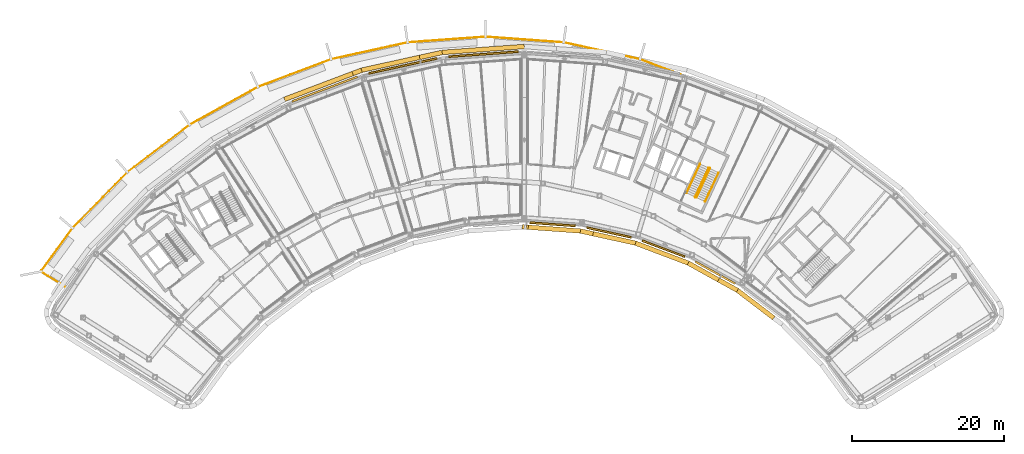
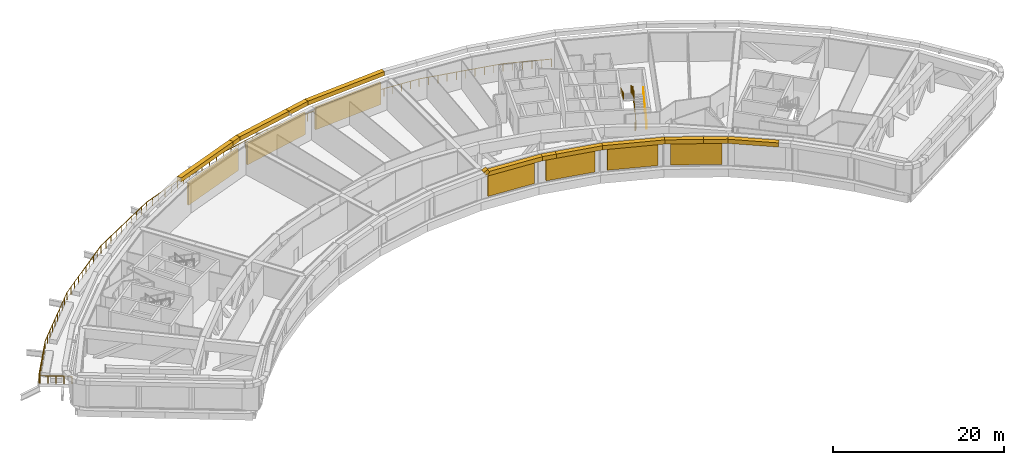
# One storey, part 21 of 24: 13 coverings, 7 shading devices, 4 railings.
"""IFC4 building model written with IfcOpenShell, lengths in metres."""

from ifc_helpers import new_model, si_unit, direction, frame, origin, origin_2d, place, context, subcontext, project, spatial, rectangle, circle, extrude, material, material_profile, profile_set, type_object, element, save


model = new_model("IFC4")

# Units and contexts
model_context = context("Model", 3, precision=1e-05, world=origin(), true_north=direction((0.0, 1.0)))
body_context = subcontext(model_context, "Body", "Model", "MODEL_VIEW")
ifc_project = project(units=[si_unit("LENGTHUNIT", "METRE"), si_unit("AREAUNIT", "SQUARE_METRE"), si_unit("VOLUMEUNIT", "CUBIC_METRE"), si_unit("PLANEANGLEUNIT", "RADIAN"), si_unit("MASSUNIT", "GRAM", prefix="KILO")], contexts=[model_context])

# Site, building, storey
site_placement = place(None, origin())
site = spatial("IfcSite", under=ifc_project, at=site_placement, CompositionType="ELEMENT")
building_placement = place(site_placement, origin())
building = spatial("IfcBuilding", under=site, at=building_placement, Name="Tuul Gate Civic Tower", CompositionType="ELEMENT")
storey_placement = place(building_placement, frame((0.0, 0.0, 243.89990234375)))
storey = spatial("IfcBuildingStorey", under=building, at=storey_placement, Name="Plant and refuge floor 6", CompositionType="ELEMENT", Elevation=243.89990234375)

# Shading devices
ifc_material_1 = material(Name="Aluminium louvre", Category="aluminium")
shading_device_type = type_object("IfcShadingDeviceType", Name="Louvre panel", PredefinedType="USERDEFINED", material=ifc_material_1)
for number, where, z_axis, x_axis, name in (
    (1, (5.66455078125, 13.66162109375, 0.300048828125), (0.0, 0.0, 1.0), (-0.072232658914, 0.997387809724, 0.0), "Louvre panel"),
    (2, (-4.955810546875, 12.114990234375, 0.300048828125), (0.0, 0.0, 1.0), (-0.21523471371, 0.976562347223, 0.0), "Louvre panel"),
    (3, (-15.2421875, 9.053955078125, 0.300048828125), (0.0, 0.0, 1.0), (-0.35373363489, 0.935346200905, 0.0), "Louvre panel"),
):
    element("IfcShadingDevice", number, at=place(storey_placement, frame(where, z_axis=z_axis, x_axis=x_axis)), inside=storey, type_object=shading_device_type, Name=name, ObjectType="LOUVRE", PredefinedType="USERDEFINED", context=body_context, shape_type="SweptSolid", body=[
        extrude(rectangle(XDim=0.25, YDim=9.199951171875, at=origin_2d()), origin(), (0.0, 0.0, 1.0), 3.14990234375),
    ])
for number, where, z_axis, x_axis, name in (
    (4, (14.775390625, -8.729736328125, 0.300048828125), (0.0, 0.0, 1.0), (-0.072276176045, -0.997384657179, 0.0), "Louvre panel"),
    (5, (22.18603515625, -9.80859375, 0.300048828125), (0.0, 0.0, 1.0), (-0.215115245883, -0.976588670316, 0.0), "Louvre panel"),
    (6, (29.36376953125, -11.9443359375, 0.300048828125), (0.0, 0.0, 1.0), (-0.353801005196, -0.935320719712, 0.0), "Louvre panel"),
    (7, (36.158935546875, -15.0927734375, 0.300048828125), (0.0, 0.0, 1.0), (-0.48480794476, -0.874620635875, 0.0), "Louvre panel"),
):
    element("IfcShadingDevice", number, at=place(storey_placement, frame(where, z_axis=z_axis, x_axis=x_axis)), inside=storey, type_object=shading_device_type, Name=name, ObjectType="LOUVRE", PredefinedType="USERDEFINED", context=body_context, shape_type="SweptSolid", body=[
        extrude(rectangle(XDim=0.25, YDim=6.0, at=origin_2d()), origin(), (0.0, 0.0, 1.0), 3.14990234375),
    ])

# Railings
ifc_material_2 = material(Name="Painted steel", Category="steel")
railing_type_1 = type_object("IfcRailingType", Name="Stair guard", PredefinedType="GUARDRAIL", material=ifc_material_2)
railing_1_placement = place(storey_placement, frame((33.645751953125, -5.238525390625, 0.0)))
element("IfcRailing", 8, at=railing_1_placement, inside=storey, type_object=railing_type_1, Name="Plant and refuge floor 6 ST-4 stair guard 1", PredefinedType="GUARDRAIL", context=body_context, shape_type="SweptSolid", body=[
    extrude(circle(Radius=0.02392578125, at=origin_2d()), frame((0.0, 0.0, 1.076171875), z_axis=(-0.906307919131, 0.422617978463, 0.0), x_axis=(-0.422617978463, -0.906307919131, 0.0)), (0.0, 0.0, 1.0), 0.099853515625),
    extrude(circle(Radius=0.02392578125, at=origin_2d()), frame((-0.090576171875, 0.042236328125, 1.076171875), z_axis=(0.720179819621, -0.082882280952, 0.688818956559), x_axis=(0.114330889033, 0.993442724979, 0.0)), (0.0, 0.0, 1.0), 0.218017578125),
    extrude(circle(Radius=0.02392578125, at=origin_2d()), frame((0.06640625, 0.024169921875, 1.22607421875), z_axis=(0.377979662676, 0.810654594284, 0.447180616049), x_axis=(-0.906322681284, 0.422586319455, 0.0)), (0.0, 0.0, 1.0), 4.69580078125),
    extrude(circle(Radius=0.02392578125, at=origin_2d()), frame((1.84130859375, 3.830810546875, 3.326171875), z_axis=(-0.342020437038, 0.939692513883, 0.0), x_axis=(-0.939692513883, -0.342020437038, 0.0)), (0.0, 0.0, 1.0), 0.070556640625),
    extrude(circle(Radius=0.02392578125, at=origin_2d()), frame((1.817138671875, 3.897216796875, 3.326171875), z_axis=(-0.906742786819, 0.421684145483, 0.0), x_axis=(-0.421684145483, -0.906742786819, 0.0)), (0.0, 0.0, 1.0), 0.10009765625),
    extrude(circle(Radius=0.02392578125, at=origin_2d()), frame((1.726318359375, 3.939453125, 3.326171875), z_axis=(-0.400168791901, -0.145649670582, 0.904793408159), x_axis=(0.342020437038, -0.939692513883, 0.0)), (0.0, 0.0, 1.0), 0.166015625),
    extrude(circle(Radius=0.02392578125, at=origin_2d()), frame((1.659912109375, 3.915283203125, 3.47607421875), z_axis=(-0.377935097645, -0.810670524484, 0.44718940361), x_axis=(0.906344943348, -0.422538570626, 0.0)), (0.0, 0.0, 1.0), 4.695556640625),
    extrude(circle(Radius=0.02099609375, at=origin_2d()), origin(), (0.0, 0.0, 1.0), 1.052001953125),
    extrude(circle(Radius=0.02099609375, at=origin_2d()), frame((-0.090576171875, 0.042236328125, 0.0)), (0.0, 0.0, 1.0), 1.052001953125),
    extrude(circle(Radius=0.02099609375, at=origin_2d()), frame((0.06640625, 0.024169921875, 0.150146484375)), (0.0, 0.0, 1.0), 1.052001953125),
    extrude(circle(Radius=0.02099609375, at=origin_2d()), frame((0.51025390625, 0.975830078125, 0.675048828125)), (0.0, 0.0, 1.0), 1.052001953125),
    extrude(circle(Radius=0.02099609375, at=origin_2d()), frame((0.953857421875, 1.927490234375, 1.2001953125)), (0.0, 0.0, 1.0), 1.052001953125),
    extrude(circle(Radius=0.02099609375, at=origin_2d()), frame((1.3974609375, 2.879150390625, 1.72509765625)), (0.0, 0.0, 1.0), 1.052001953125),
    extrude(circle(Radius=0.02099609375, at=origin_2d()), frame((1.84130859375, 3.830810546875, 2.25)), (0.0, 0.0, 1.0), 1.052001953125),
    extrude(circle(Radius=0.02099609375, at=origin_2d()), frame((1.817138671875, 3.897216796875, 2.25)), (0.0, 0.0, 1.0), 1.052001953125),
    extrude(circle(Radius=0.02099609375, at=origin_2d()), frame((1.726318359375, 3.939453125, 2.25)), (0.0, 0.0, 1.0), 1.052001953125),
    extrude(circle(Radius=0.02099609375, at=origin_2d()), frame((1.659912109375, 3.915283203125, 2.400146484375)), (0.0, 0.0, 1.0), 1.052001953125),
    extrude(circle(Radius=0.02099609375, at=origin_2d()), frame((1.21630859375, 2.963623046875, 2.925048828125)), (0.0, 0.0, 1.0), 1.052001953125),
    extrude(circle(Radius=0.02099609375, at=origin_2d()), frame((0.7724609375, 2.011962890625, 3.4501953125)), (0.0, 0.0, 1.0), 1.052001953125),
    extrude(circle(Radius=0.02099609375, at=origin_2d()), frame((0.328857421875, 1.060302734375, 3.97509765625)), (0.0, 0.0, 1.0), 1.052001953125),
    extrude(circle(Radius=0.02099609375, at=origin_2d()), frame((-0.11474609375, 0.108642578125, 4.5)), (0.0, 0.0, 1.0), 1.052001953125),
])
ifc_material_3 = material(Name="Painted steel", Category="steel")
railing_type_2 = type_object("IfcRailingType", Name="Stair handrail", PredefinedType="HANDRAIL", material=ifc_material_3)
railing_2_placement = place(storey_placement, frame((34.844970703125, -5.74267578125, 0.150146484375)))
element("IfcRailing", 9, at=railing_2_placement, inside=storey, type_object=railing_type_2, Name="Plant and refuge floor 6 ST-4 stair handrail 1", PredefinedType="HANDRAIL", context=body_context, shape_type="SweptSolid", body=[
    extrude(circle(Radius=0.02392578125, at=origin_2d()), frame((0.0, 0.0, 0.8759765625), z_axis=(0.377979662676, 0.810654594284, 0.447180616049), x_axis=(-0.906322681284, 0.422586319455, 0.0)), (0.0, 0.0, 1.0), 4.69580078125),
    extrude(circle(Radius=0.02099609375, at=origin_2d()), origin(), (0.0, 0.0, 1.0), 0.851806640625),
    extrude(circle(Radius=0.02099609375, at=origin_2d()), frame((0.44384765625, 0.95166015625, 0.52490234375)), (0.0, 0.0, 1.0), 0.851806640625),
    extrude(circle(Radius=0.02099609375, at=origin_2d()), frame((0.887451171875, 1.9033203125, 1.0498046875)), (0.0, 0.0, 1.0), 0.851806640625),
    extrude(circle(Radius=0.02099609375, at=origin_2d()), frame((1.3310546875, 2.85498046875, 1.574951171875)), (0.0, 0.0, 1.0), 0.851806640625),
    extrude(circle(Radius=0.02099609375, at=origin_2d()), frame((1.77490234375, 3.806640625, 2.099853515625)), (0.0, 0.0, 1.0), 0.851806640625),
])
railing_3_placement = place(storey_placement, frame((34.1728515625, -0.795166015625, 2.400146484375)))
element("IfcRailing", 10, at=railing_3_placement, inside=storey, type_object=railing_type_2, Name="Plant and refuge floor 6 ST-4 stair handrail 2", PredefinedType="HANDRAIL", context=body_context, shape_type="SweptSolid", body=[
    extrude(circle(Radius=0.02392578125, at=origin_2d()), frame((0.0, 0.0, 0.8759765625), z_axis=(-0.377995593999, -0.810636768368, 0.447199464097), x_axis=(0.906312300116, -0.422608583275, 0.0)), (0.0, 0.0, 1.0), 4.695556640625),
    extrude(circle(Radius=0.02099609375, at=origin_2d()), origin(), (0.0, 0.0, 1.0), 0.851806640625),
    extrude(circle(Radius=0.02099609375, at=origin_2d()), frame((-0.44384765625, -0.95166015625, 0.52490234375)), (0.0, 0.0, 1.0), 0.851806640625),
    extrude(circle(Radius=0.02099609375, at=origin_2d()), frame((-0.887451171875, -1.9033203125, 1.0498046875)), (0.0, 0.0, 1.0), 0.851806640625),
    extrude(circle(Radius=0.02099609375, at=origin_2d()), frame((-1.3310546875, -2.854736328125, 1.574951171875)), (0.0, 0.0, 1.0), 0.851806640625),
    extrude(circle(Radius=0.02099609375, at=origin_2d()), frame((-1.77490234375, -3.806396484375, 2.099853515625)), (0.0, 0.0, 1.0), 0.851806640625),
])
ifc_material_4 = material(Name="Stainless steel", Category="steel")
railing_type_3 = type_object("IfcRailingType", Name="Terrace guard", PredefinedType="GUARDRAIL", material=ifc_material_4)
railing_4_placement = place(storey_placement, frame((31.627197265625, 10.97265625, 0.0)))
element("IfcRailing", 11, at=railing_4_placement, inside=storey, type_object=railing_type_3, Name="Guard", PredefinedType="GUARDRAIL", context=body_context, shape_type="SweptSolid", body=[
    extrude(circle(Radius=0.02392578125, at=origin_2d()), frame((0.0, 0.0, 1.076171875), z_axis=(-0.935326312992, 0.353786218252, 0.0), x_axis=(-0.353786218252, -0.935326312992, 0.0)), (0.0, 0.0, 1.0), 5.72412109375),
    extrude(circle(Radius=0.02392578125, at=origin_2d()), frame((-5.35400390625, 2.025146484375, 1.076171875), z_axis=(-0.976580266261, 0.215153395392, 0.0), x_axis=(-0.215153395392, -0.976580266261, 0.0)), (0.0, 0.0, 1.0), 10.301025390625),
    extrude(circle(Radius=0.02392578125, at=origin_2d()), frame((-15.413818359375, 4.241455078125, 1.076171875), z_axis=(-0.997385266438, 0.072267767998, 0.0), x_axis=(-0.072267767998, -0.997385266438, 0.0)), (0.0, 0.0, 1.0), 10.30029296875),
    extrude(circle(Radius=0.02392578125, at=origin_2d()), frame((-25.687255859375, 4.98583984375, 1.076171875), z_axis=(-0.997385637761, -0.072262643099, 0.0), x_axis=(0.072262643099, -0.997385637761, 0.0)), (0.0, 0.0, 1.0), 10.301025390625),
    extrude(circle(Radius=0.02392578125, at=origin_2d()), frame((-35.96142578125, 4.241455078125, 1.076171875), z_axis=(-0.976575877169, -0.215173316496, 0.0), x_axis=(0.215173316496, -0.976575877169, 0.0)), (0.0, 0.0, 1.0), 10.300048828125),
    extrude(circle(Radius=0.02392578125, at=origin_2d()), frame((-46.020263671875, 2.025146484375, 1.076171875), z_axis=(-0.935328018854, -0.353781708327, 0.0), x_axis=(0.353781708327, -0.935328018854, 0.0)), (0.0, 0.0, 1.0), 10.301025390625),
    extrude(circle(Radius=0.02392578125, at=origin_2d()), frame((-55.655029296875, -1.619140625, 1.076171875), z_axis=(-0.874657646695, -0.48474116916, 0.0), x_axis=(0.48474116916, -0.874657646695, 0.0)), (0.0, 0.0, 1.0), 10.30126953125),
    extrude(circle(Radius=0.02392578125, at=origin_2d()), frame((-64.6650390625, -6.612548828125, 1.076171875), z_axis=(-0.795606895207, -0.60581322889, 0.0), x_axis=(0.60581322889, -0.795606895207, 0.0)), (0.0, 0.0, 1.0), 10.2998046875),
    extrude(circle(Radius=0.02392578125, at=origin_2d()), frame((-72.859619140625, -12.852294921875, 1.076171875), z_axis=(-0.699997004373, -0.714145779143, 0.0), x_axis=(0.714145779143, -0.699997004373, 0.0)), (0.0, 0.0, 1.0), 10.30126953125),
    extrude(circle(Radius=0.02392578125, at=origin_2d()), frame((-80.070556640625, -20.208984375, 1.076171875), z_axis=(-0.589864340275, -0.807502359174, 0.0), x_axis=(0.807502359174, -0.589864340275, 0.0)), (0.0, 0.0, 1.0), 6.915771484375),
    extrude(circle(Radius=0.02392578125, at=origin_2d()), frame((-84.14990234375, -25.79345703125, 1.076171875), z_axis=(-0.409149138835, -0.91246752391, 0.0), x_axis=(0.91246752391, -0.409149138835, 0.0)), (0.0, 0.0, 1.0), 0.0751953125),
    extrude(circle(Radius=0.02392578125, at=origin_2d()), frame((-84.1806640625, -25.862060546875, 1.076171875), z_axis=(-0.016324355083, -0.999866748838, 0.0), x_axis=(0.999866748838, -0.016324355083, 0.0)), (0.0, 0.0, 1.0), 0.059814453125),
    extrude(circle(Radius=0.02392578125, at=origin_2d()), frame((-84.181640625, -25.921875, 1.076171875), z_axis=(0.384035122131, -0.923318485123, 0.0), x_axis=(0.923318485123, 0.384035122131, 0.0)), (0.0, 0.0, 1.0), 0.059814453125),
    extrude(circle(Radius=0.02392578125, at=origin_2d()), frame((-84.15869140625, -25.97705078125, 1.076171875), z_axis=(0.722990691153, -0.690857771546, 0.0), x_axis=(0.690857771546, 0.722990691153, 0.0)), (0.0, 0.0, 1.0), 0.075927734375),
    extrude(circle(Radius=0.02392578125, at=origin_2d()), frame((-84.103759765625, -26.029541015625, 1.076171875), z_axis=(0.848023997791, -0.529957827728, 0.0), x_axis=(0.529957827728, 0.848023997791, 0.0)), (0.0, 0.0, 1.0), 3.736572265625),
    extrude(circle(Radius=0.02099609375, at=origin_2d()), origin(), (0.0, 0.0, 1.0), 1.052001953125),
    extrude(circle(Radius=0.02099609375, at=origin_2d()), frame((-1.07080078125, 0.405029296875, 0.0)), (0.0, 0.0, 1.0), 1.052001953125),
    extrude(circle(Radius=0.02099609375, at=origin_2d()), frame((-2.1416015625, 0.81005859375, 0.0)), (0.0, 0.0, 1.0), 1.052001953125),
    extrude(circle(Radius=0.02099609375, at=origin_2d()), frame((-3.21240234375, 1.215087890625, 0.0)), (0.0, 0.0, 1.0), 1.052001953125),
    extrude(circle(Radius=0.02099609375, at=origin_2d()), frame((-4.283203125, 1.6201171875, 0.0)), (0.0, 0.0, 1.0), 1.052001953125),
    extrude(circle(Radius=0.02099609375, at=origin_2d()), frame((-5.35400390625, 2.025146484375, 0.0)), (0.0, 0.0, 1.0), 1.052001953125),
    extrude(circle(Radius=0.02099609375, at=origin_2d()), frame((-6.4716796875, 2.271484375, 0.0)), (0.0, 0.0, 1.0), 1.052001953125),
    extrude(circle(Radius=0.02099609375, at=origin_2d()), frame((-7.589599609375, 2.517578125, 0.0)), (0.0, 0.0, 1.0), 1.052001953125),
    extrude(circle(Radius=0.02099609375, at=origin_2d()), frame((-8.707275390625, 2.763916015625, 0.0)), (0.0, 0.0, 1.0), 1.052001953125),
    extrude(circle(Radius=0.02099609375, at=origin_2d()), frame((-9.824951171875, 3.01025390625, 0.0)), (0.0, 0.0, 1.0), 1.052001953125),
    extrude(circle(Radius=0.02099609375, at=origin_2d()), frame((-10.94287109375, 3.25634765625, 0.0)), (0.0, 0.0, 1.0), 1.052001953125),
    extrude(circle(Radius=0.02099609375, at=origin_2d()), frame((-12.060546875, 3.502685546875, 0.0)), (0.0, 0.0, 1.0), 1.052001953125),
    extrude(circle(Radius=0.02099609375, at=origin_2d()), frame((-13.17822265625, 3.7490234375, 0.0)), (0.0, 0.0, 1.0), 1.052001953125),
    extrude(circle(Radius=0.02099609375, at=origin_2d()), frame((-14.296142578125, 3.9951171875, 0.0)), (0.0, 0.0, 1.0), 1.052001953125),
    extrude(circle(Radius=0.02099609375, at=origin_2d()), frame((-15.413818359375, 4.241455078125, 0.0)), (0.0, 0.0, 1.0), 1.052001953125),
    extrude(circle(Radius=0.02099609375, at=origin_2d()), frame((-16.555419921875, 4.32421875, 0.0)), (0.0, 0.0, 1.0), 1.052001953125),
    extrude(circle(Radius=0.02099609375, at=origin_2d()), frame((-17.69677734375, 4.406982421875, 0.0)), (0.0, 0.0, 1.0), 1.052001953125),
    extrude(circle(Radius=0.02099609375, at=origin_2d()), frame((-18.83837890625, 4.489501953125, 0.0)), (0.0, 0.0, 1.0), 1.052001953125),
    extrude(circle(Radius=0.02099609375, at=origin_2d()), frame((-19.979736328125, 4.572265625, 0.0)), (0.0, 0.0, 1.0), 1.052001953125),
    extrude(circle(Radius=0.02099609375, at=origin_2d()), frame((-21.121337890625, 4.655029296875, 0.0)), (0.0, 0.0, 1.0), 1.052001953125),
    extrude(circle(Radius=0.02099609375, at=origin_2d()), frame((-22.2626953125, 4.73779296875, 0.0)), (0.0, 0.0, 1.0), 1.052001953125),
    extrude(circle(Radius=0.02099609375, at=origin_2d()), frame((-23.404296875, 4.8203125, 0.0)), (0.0, 0.0, 1.0), 1.052001953125),
    extrude(circle(Radius=0.02099609375, at=origin_2d()), frame((-24.545654296875, 4.903076171875, 0.0)), (0.0, 0.0, 1.0), 1.052001953125),
    extrude(circle(Radius=0.02099609375, at=origin_2d()), frame((-25.687255859375, 4.98583984375, 0.0)), (0.0, 0.0, 1.0), 1.052001953125),
    extrude(circle(Radius=0.02099609375, at=origin_2d()), frame((-26.828857421875, 4.903076171875, 0.0)), (0.0, 0.0, 1.0), 1.052001953125),
    extrude(circle(Radius=0.02099609375, at=origin_2d()), frame((-27.970458984375, 4.8203125, 0.0)), (0.0, 0.0, 1.0), 1.052001953125),
    extrude(circle(Radius=0.02099609375, at=origin_2d()), frame((-29.112060546875, 4.73779296875, 0.0)), (0.0, 0.0, 1.0), 1.052001953125),
    extrude(circle(Radius=0.02099609375, at=origin_2d()), frame((-30.253662109375, 4.655029296875, 0.0)), (0.0, 0.0, 1.0), 1.052001953125),
    extrude(circle(Radius=0.02099609375, at=origin_2d()), frame((-31.39501953125, 4.572265625, 0.0)), (0.0, 0.0, 1.0), 1.052001953125),
    extrude(circle(Radius=0.02099609375, at=origin_2d()), frame((-32.53662109375, 4.489501953125, 0.0)), (0.0, 0.0, 1.0), 1.052001953125),
    extrude(circle(Radius=0.02099609375, at=origin_2d()), frame((-33.67822265625, 4.406982421875, 0.0)), (0.0, 0.0, 1.0), 1.052001953125),
    extrude(circle(Radius=0.02099609375, at=origin_2d()), frame((-34.81982421875, 4.32421875, 0.0)), (0.0, 0.0, 1.0), 1.052001953125),
    extrude(circle(Radius=0.02099609375, at=origin_2d()), frame((-35.96142578125, 4.241455078125, 0.0)), (0.0, 0.0, 1.0), 1.052001953125),
    extrude(circle(Radius=0.02099609375, at=origin_2d()), frame((-37.0791015625, 3.9951171875, 0.0)), (0.0, 0.0, 1.0), 1.052001953125),
    extrude(circle(Radius=0.02099609375, at=origin_2d()), frame((-38.19677734375, 3.7490234375, 0.0)), (0.0, 0.0, 1.0), 1.052001953125),
    extrude(circle(Radius=0.02099609375, at=origin_2d()), frame((-39.314453125, 3.502685546875, 0.0)), (0.0, 0.0, 1.0), 1.052001953125),
    extrude(circle(Radius=0.02099609375, at=origin_2d()), frame((-40.43212890625, 3.25634765625, 0.0)), (0.0, 0.0, 1.0), 1.052001953125),
    extrude(circle(Radius=0.02099609375, at=origin_2d()), frame((-41.549560546875, 3.01025390625, 0.0)), (0.0, 0.0, 1.0), 1.052001953125),
    extrude(circle(Radius=0.02099609375, at=origin_2d()), frame((-42.667236328125, 2.763916015625, 0.0)), (0.0, 0.0, 1.0), 1.052001953125),
    extrude(circle(Radius=0.02099609375, at=origin_2d()), frame((-43.784912109375, 2.517578125, 0.0)), (0.0, 0.0, 1.0), 1.052001953125),
    extrude(circle(Radius=0.02099609375, at=origin_2d()), frame((-44.902587890625, 2.271484375, 0.0)), (0.0, 0.0, 1.0), 1.052001953125),
    extrude(circle(Radius=0.02099609375, at=origin_2d()), frame((-46.020263671875, 2.025146484375, 0.0)), (0.0, 0.0, 1.0), 1.052001953125),
    extrude(circle(Radius=0.02099609375, at=origin_2d()), frame((-47.0908203125, 1.6201171875, 0.0)), (0.0, 0.0, 1.0), 1.052001953125),
    extrude(circle(Radius=0.02099609375, at=origin_2d()), frame((-48.161376953125, 1.21533203125, 0.0)), (0.0, 0.0, 1.0), 1.052001953125),
    extrude(circle(Radius=0.02099609375, at=origin_2d()), frame((-49.23193359375, 0.810302734375, 0.0)), (0.0, 0.0, 1.0), 1.052001953125),
    extrude(circle(Radius=0.02099609375, at=origin_2d()), frame((-50.302490234375, 0.405517578125, 0.0)), (0.0, 0.0, 1.0), 1.052001953125),
    extrude(circle(Radius=0.02099609375, at=origin_2d()), frame((-51.372802734375, 0.00048828125, 0.0)), (0.0, 0.0, 1.0), 1.052001953125),
    extrude(circle(Radius=0.02099609375, at=origin_2d()), frame((-52.443359375, -0.404296875, 0.0)), (0.0, 0.0, 1.0), 1.052001953125),
    extrude(circle(Radius=0.02099609375, at=origin_2d()), frame((-53.513916015625, -0.809326171875, 0.0)), (0.0, 0.0, 1.0), 1.052001953125),
    extrude(circle(Radius=0.02099609375, at=origin_2d()), frame((-54.58447265625, -1.214111328125, 0.0)), (0.0, 0.0, 1.0), 1.052001953125),
    extrude(circle(Radius=0.02099609375, at=origin_2d()), frame((-55.655029296875, -1.619140625, 0.0)), (0.0, 0.0, 1.0), 1.052001953125),
    extrude(circle(Radius=0.02099609375, at=origin_2d()), frame((-56.65625, -2.174072265625, 0.0)), (0.0, 0.0, 1.0), 1.052001953125),
    extrude(circle(Radius=0.02099609375, at=origin_2d()), frame((-57.6572265625, -2.728759765625, 0.0)), (0.0, 0.0, 1.0), 1.052001953125),
    extrude(circle(Radius=0.02099609375, at=origin_2d()), frame((-58.658447265625, -3.28369140625, 0.0)), (0.0, 0.0, 1.0), 1.052001953125),
    extrude(circle(Radius=0.02099609375, at=origin_2d()), frame((-59.659423828125, -3.83837890625, 0.0)), (0.0, 0.0, 1.0), 1.052001953125),
    extrude(circle(Radius=0.02099609375, at=origin_2d()), frame((-60.66064453125, -4.393310546875, 0.0)), (0.0, 0.0, 1.0), 1.052001953125),
    extrude(circle(Radius=0.02099609375, at=origin_2d()), frame((-61.66162109375, -4.947998046875, 0.0)), (0.0, 0.0, 1.0), 1.052001953125),
    extrude(circle(Radius=0.02099609375, at=origin_2d()), frame((-62.662841796875, -5.5029296875, 0.0)), (0.0, 0.0, 1.0), 1.052001953125),
    extrude(circle(Radius=0.02099609375, at=origin_2d()), frame((-63.663818359375, -6.0576171875, 0.0)), (0.0, 0.0, 1.0), 1.052001953125),
    extrude(circle(Radius=0.02099609375, at=origin_2d()), frame((-64.6650390625, -6.612548828125, 0.0)), (0.0, 0.0, 1.0), 1.052001953125),
    extrude(circle(Radius=0.02099609375, at=origin_2d()), frame((-65.575439453125, -7.305908203125, 0.0)), (0.0, 0.0, 1.0), 1.052001953125),
    extrude(circle(Radius=0.02099609375, at=origin_2d()), frame((-66.486083984375, -7.999267578125, 0.0)), (0.0, 0.0, 1.0), 1.052001953125),
    extrude(circle(Radius=0.02099609375, at=origin_2d()), frame((-67.396484375, -8.6923828125, 0.0)), (0.0, 0.0, 1.0), 1.052001953125),
    extrude(circle(Radius=0.02099609375, at=origin_2d()), frame((-68.30712890625, -9.3857421875, 0.0)), (0.0, 0.0, 1.0), 1.052001953125),
    extrude(circle(Radius=0.02099609375, at=origin_2d()), frame((-69.217529296875, -10.0791015625, 0.0)), (0.0, 0.0, 1.0), 1.052001953125),
    extrude(circle(Radius=0.02099609375, at=origin_2d()), frame((-70.128173828125, -10.7724609375, 0.0)), (0.0, 0.0, 1.0), 1.052001953125),
    extrude(circle(Radius=0.02099609375, at=origin_2d()), frame((-71.03857421875, -11.465576171875, 0.0)), (0.0, 0.0, 1.0), 1.052001953125),
    extrude(circle(Radius=0.02099609375, at=origin_2d()), frame((-71.94921875, -12.158935546875, 0.0)), (0.0, 0.0, 1.0), 1.052001953125),
    extrude(circle(Radius=0.02099609375, at=origin_2d()), frame((-72.859619140625, -12.852294921875, 0.0)), (0.0, 0.0, 1.0), 1.052001953125),
    extrude(circle(Radius=0.02099609375, at=origin_2d()), frame((-73.660888671875, -13.669677734375, 0.0)), (0.0, 0.0, 1.0), 1.052001953125),
    extrude(circle(Radius=0.02099609375, at=origin_2d()), frame((-74.462158203125, -14.487060546875, 0.0)), (0.0, 0.0, 1.0), 1.052001953125),
    extrude(circle(Radius=0.02099609375, at=origin_2d()), frame((-75.26318359375, -15.304443359375, 0.0)), (0.0, 0.0, 1.0), 1.052001953125),
    extrude(circle(Radius=0.02099609375, at=origin_2d()), frame((-76.064453125, -16.121826171875, 0.0)), (0.0, 0.0, 1.0), 1.052001953125),
    extrude(circle(Radius=0.02099609375, at=origin_2d()), frame((-76.86572265625, -16.939453125, 0.0)), (0.0, 0.0, 1.0), 1.052001953125),
    extrude(circle(Radius=0.02099609375, at=origin_2d()), frame((-77.6669921875, -17.7568359375, 0.0)), (0.0, 0.0, 1.0), 1.052001953125),
    extrude(circle(Radius=0.02099609375, at=origin_2d()), frame((-78.468017578125, -18.57421875, 0.0)), (0.0, 0.0, 1.0), 1.052001953125),
    extrude(circle(Radius=0.02099609375, at=origin_2d()), frame((-79.269287109375, -19.3916015625, 0.0)), (0.0, 0.0, 1.0), 1.052001953125),
    extrude(circle(Radius=0.02099609375, at=origin_2d()), frame((-80.070556640625, -20.208984375, 0.0)), (0.0, 0.0, 1.0), 1.052001953125),
    extrude(circle(Radius=0.02099609375, at=origin_2d()), frame((-80.75048828125, -21.1396484375, 0.0)), (0.0, 0.0, 1.0), 1.052001953125),
    extrude(circle(Radius=0.02099609375, at=origin_2d()), frame((-81.430419921875, -22.070556640625, 0.0)), (0.0, 0.0, 1.0), 1.052001953125),
    extrude(circle(Radius=0.02099609375, at=origin_2d()), frame((-82.1103515625, -23.001220703125, 0.0)), (0.0, 0.0, 1.0), 1.052001953125),
    extrude(circle(Radius=0.02099609375, at=origin_2d()), frame((-82.7900390625, -23.931884765625, 0.0)), (0.0, 0.0, 1.0), 1.052001953125),
    extrude(circle(Radius=0.02099609375, at=origin_2d()), frame((-83.469970703125, -24.86279296875, 0.0)), (0.0, 0.0, 1.0), 1.052001953125),
    extrude(circle(Radius=0.02099609375, at=origin_2d()), frame((-84.14990234375, -25.79345703125, 0.0)), (0.0, 0.0, 1.0), 1.052001953125),
    extrude(circle(Radius=0.02099609375, at=origin_2d()), frame((-84.1806640625, -25.862060546875, 0.0)), (0.0, 0.0, 1.0), 1.052001953125),
    extrude(circle(Radius=0.02099609375, at=origin_2d()), frame((-84.181640625, -25.921875, 0.0)), (0.0, 0.0, 1.0), 1.052001953125),
    extrude(circle(Radius=0.02099609375, at=origin_2d()), frame((-84.15869140625, -25.97705078125, 0.0)), (0.0, 0.0, 1.0), 1.052001953125),
    extrude(circle(Radius=0.02099609375, at=origin_2d()), frame((-84.103759765625, -26.029541015625, 0.0)), (0.0, 0.0, 1.0), 1.052001953125),
    extrude(circle(Radius=0.02099609375, at=origin_2d()), frame((-83.3115234375, -26.524658203125, 0.0)), (0.0, 0.0, 1.0), 1.052001953125),
    extrude(circle(Radius=0.02099609375, at=origin_2d()), frame((-82.51953125, -27.01953125, 0.0)), (0.0, 0.0, 1.0), 1.052001953125),
    extrude(circle(Radius=0.02099609375, at=origin_2d()), frame((-81.727294921875, -27.5146484375, 0.0)), (0.0, 0.0, 1.0), 1.052001953125),
    extrude(circle(Radius=0.02099609375, at=origin_2d()), frame((-80.93505859375, -28.009765625, 0.0)), (0.0, 0.0, 1.0), 1.052001953125),
])

# Coverings
ifc_material_5 = material(Name="Terracotta baguette", Category="masonry")
ifc_material_profile = material_profile(ifc_material_5, rectangle(XDim=0.60009765625, YDim=0.60009765625, at=origin_2d()), Name="Terracotta baguette screen frame")
ifc_profile_set = profile_set([ifc_material_profile], Name="Terracotta baguette")
covering_type = type_object("IfcCoveringType", Name="Terracotta baguette screen frame", PredefinedType="CLADDING", material=ifc_profile_set)
covering_1_placement = place(storey_placement, frame((-2.748046875, 13.24169921875, 4.150146484375), z_axis=(-0.976558608026, -0.215251678484, 0.0), x_axis=(0.215251678484, -0.976558608026, 0.0)))
element("IfcCovering", 12, at=covering_1_placement, inside=storey, type_object=covering_type, Name="Baguette 87", PredefinedType="CLADDING", context=body_context, shape_type="SweptSolid", body=[
    extrude(rectangle(XDim=0.60009765625, YDim=0.60009765625, at=origin_2d()), origin(), (0.0, 0.0, 1.0), 7.82373046875),
])
covering_2_placement = place(storey_placement, frame((-10.388427734375, 11.5576171875, 4.150146484375), z_axis=(-0.935361445444, -0.353693322493, 0.0), x_axis=(0.353693322493, -0.935361445444, 0.0)))
element("IfcCovering", 13, at=covering_2_placement, inside=storey, type_object=covering_type, Name="Baguette 88", PredefinedType="CLADDING", context=body_context, shape_type="SweptSolid", body=[
    extrude(rectangle(XDim=0.60009765625, YDim=0.60009765625, at=origin_2d()), origin(), (0.0, 0.0, 1.0), 1.248779296875),
])
covering_3_placement = place(storey_placement, frame((11.031005859375, -9.0849609375, 4.6494140625), z_axis=(0.465035436769, -0.03374210611, -0.884648807621), x_axis=(0.072367892575, 0.997378006638, 0.0)))
element("IfcCovering", 14, at=covering_3_placement, inside=storey, type_object=covering_type, Name="Baguette 213", PredefinedType="CLADDING", context=body_context, shape_type="SweptSolid", body=[
    extrude(rectangle(XDim=0.60009765625, YDim=0.60009765625, at=origin_2d()), origin(), (0.0, 0.0, 1.0), 0.564453125),
])
covering_4_placement = place(storey_placement, frame((11.29345703125, -9.10400390625, 4.150146484375), z_axis=(0.997385081157, -0.072270325073, 0.0), x_axis=(0.072270325073, 0.997385081157, 0.0)))
element("IfcCovering", 15, at=covering_4_placement, inside=storey, type_object=covering_type, Name="Baguette 220", PredefinedType="CLADDING", context=body_context, shape_type="SweptSolid", body=[
    extrude(rectangle(XDim=0.60009765625, YDim=0.60009765625, at=origin_2d()), origin(), (0.0, 0.0, 1.0), 7.155029296875),
])
covering_5_placement = place(storey_placement, frame((18.4296875, -9.62109375, 4.150146484375), z_axis=(0.976594928583, -0.215086832385, 0.0), x_axis=(0.215086832385, 0.976594928583, 0.0)))
element("IfcCovering", 16, at=covering_5_placement, inside=storey, type_object=covering_type, Name="Baguette 221", PredefinedType="CLADDING", context=body_context, shape_type="SweptSolid", body=[
    extrude(rectangle(XDim=0.60009765625, YDim=0.60009765625, at=origin_2d()), origin(), (0.0, 0.0, 1.0), 1.697021484375),
])
covering_6_placement = place(storey_placement, frame((36.604736328125, -16.054443359375, 4.150146484375), z_axis=(0.874621104425, -0.484807099468, 0.0), x_axis=(0.484807099468, 0.874621104425, 0.0)))
element("IfcCovering", 17, at=covering_6_placement, inside=storey, type_object=covering_type, Name="Baguette 240", PredefinedType="CLADDING", context=body_context, shape_type="SweptSolid", body=[
    extrude(rectangle(XDim=0.60009765625, YDim=0.60009765625, at=origin_2d()), origin(), (0.0, 0.0, 1.0), 2.852783203125),
])
covering_7_placement = place(storey_placement, frame((39.099853515625, -17.4375, 4.150146484375), z_axis=(0.795627855094, -0.605785701546, 0.0), x_axis=(0.605785701546, 0.795627855094, 0.0)))
element("IfcCovering", 18, at=covering_7_placement, inside=storey, type_object=covering_type, Name="Baguette 241", PredefinedType="CLADDING", context=body_context, shape_type="SweptSolid", body=[
    extrude(rectangle(XDim=0.60009765625, YDim=0.60009765625, at=origin_2d()), origin(), (0.0, 0.0, 1.0), 5.999267578125),
])
covering_8_placement = place(storey_placement, frame((11.031005859375, 14.677001953125, 4.150146484375), z_axis=(-0.99738728677, -0.072239879499, 0.0), x_axis=(0.072239879499, -0.99738728677, 0.0)))
element("IfcCovering", 19, at=covering_8_placement, inside=storey, type_object=covering_type, Name="Baguette 391", PredefinedType="CLADDING", context=body_context, shape_type="SweptSolid", body=[
    extrude(rectangle(XDim=0.60009765625, YDim=0.60009765625, at=origin_2d()), origin(), (0.0, 0.0, 1.0), 10.851806640625),
])
covering_9_placement = place(storey_placement, frame((0.20751953125, 13.89306640625, 4.150146484375), z_axis=(-0.976565178997, -0.21522186499, 0.0), x_axis=(0.21522186499, -0.976565178997, 0.0)))
element("IfcCovering", 20, at=covering_9_placement, inside=storey, type_object=covering_type, Name="Baguette 392", PredefinedType="CLADDING", context=body_context, shape_type="SweptSolid", body=[
    extrude(rectangle(XDim=0.60009765625, YDim=0.60009765625, at=origin_2d()), origin(), (0.0, 0.0, 1.0), 3.026611328125),
])
covering_10_placement = place(storey_placement, frame((-11.556396484375, 11.115966796875, 4.150146484375), z_axis=(-0.935346515686, -0.353732802542, 0.0), x_axis=(0.353732802542, -0.935346515686, 0.0)))
element("IfcCovering", 21, at=covering_10_placement, inside=storey, type_object=covering_type, Name="Baguette 393", PredefinedType="CLADDING", context=body_context, shape_type="SweptSolid", body=[
    extrude(rectangle(XDim=0.60009765625, YDim=0.60009765625, at=origin_2d()), origin(), (0.0, 0.0, 1.0), 9.6025390625),
])
covering_11_placement = place(storey_placement, frame((20.0869140625, -9.986083984375, 4.150146484375), z_axis=(0.976584067749, -0.215136139733, 0.0), x_axis=(0.215136139733, 0.976584067749, 0.0)))
element("IfcCovering", 22, at=covering_11_placement, inside=storey, type_object=covering_type, Name="Baguette 406", PredefinedType="CLADDING", context=body_context, shape_type="SweptSolid", body=[
    extrude(rectangle(XDim=0.60009765625, YDim=0.60009765625, at=origin_2d()), origin(), (0.0, 0.0, 1.0), 5.720703125),
])
covering_12_placement = place(storey_placement, frame((25.673583984375, -11.216796875, 4.150146484375), z_axis=(0.935320405664, -0.353801835423, 0.0), x_axis=(0.353801835423, 0.935320405664, 0.0)))
element("IfcCovering", 23, at=covering_12_placement, inside=storey, type_object=covering_type, Name="Baguette 407", PredefinedType="CLADDING", context=body_context, shape_type="SweptSolid", body=[
    extrude(rectangle(XDim=0.60009765625, YDim=0.60009765625, at=origin_2d()), origin(), (0.0, 0.0, 1.0), 7.41796875),
])
covering_13_placement = place(storey_placement, frame((32.61181640625, -13.84130859375, 4.150146484375), z_axis=(0.874636136261, -0.484779980141, 0.0), x_axis=(0.484779980141, 0.874636136261, 0.0)))
element("IfcCovering", 24, at=covering_13_placement, inside=storey, type_object=covering_type, Name="Baguette 408", PredefinedType="CLADDING", context=body_context, shape_type="SweptSolid", body=[
    extrude(rectangle(XDim=0.60009765625, YDim=0.60009765625, at=origin_2d()), origin(), (0.0, 0.0, 1.0), 4.565185546875),
])

save(model, "model.ifc")
